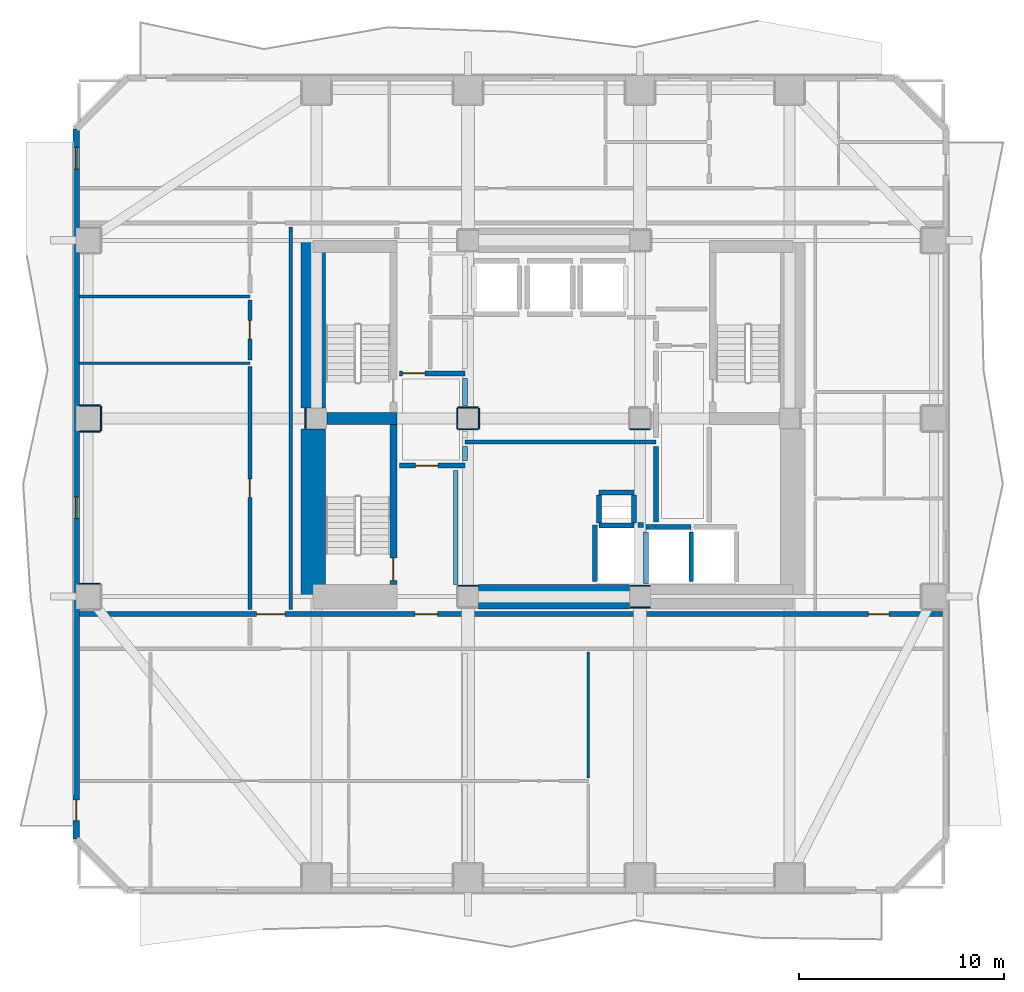
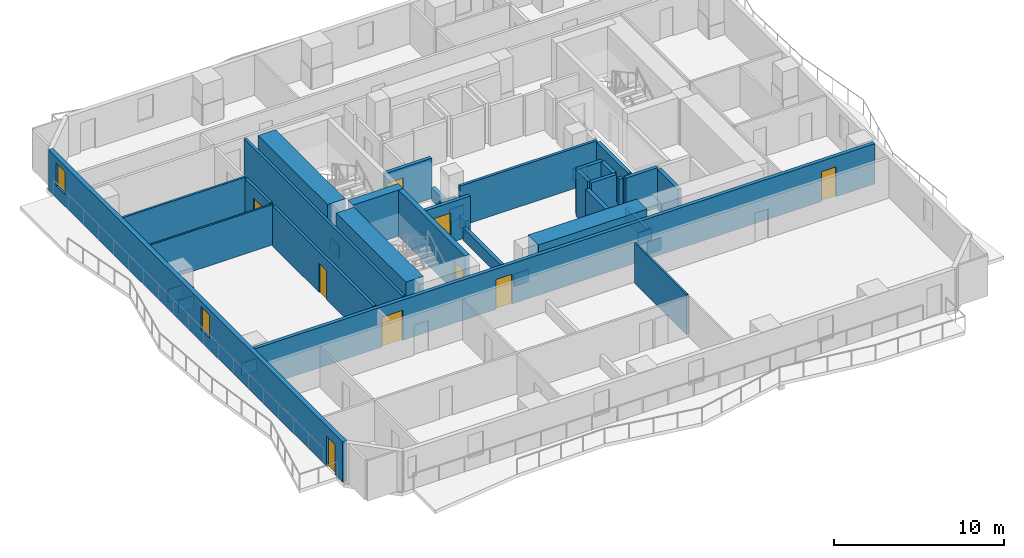
# One storey, part 3 of 10: 42 walls, 9 doors, 2 windows, 11 openings.
"""IFC4 building model written with IfcOpenShell, lengths in metres."""

import ifcopenshell
import ifcopenshell.guid

model = None  # the IFC model being written
_history = None  # IfcOwnerHistory: only IFC2X3 demands one
_inside = {}  # id of a spatial element -> (the spatial element, [elements in it])
_under = {}  # id of a project, library or spatial element -> (it, [spatial elements below it])
_declared = {}  # id of a project -> (the project, [libraries it declares])
_typed = {}  # id of a type object -> (the type object, [elements of that type])
_made_of = {}  # id of a material, layer set ... -> (it, [elements and type objects made of it])


def new_model(schema):
    """Start an empty IFC model of exactly this schema.

    Asked for "IFC4X3", IfcOpenShell would pick the latest addendum, in which some entities
    have other attributes; the version numbers below select the first issue.
    IFC2X3 requires an IfcOwnerHistory on every rooted entity: one is made here for all.
    """
    global model, _history
    if schema == "IFC4X3":
        model = ifcopenshell.file(schema_version=(4, 3, 0, 0))
    else:
        model = ifcopenshell.file(schema=schema)
    _inside.clear()
    _under.clear()
    _declared.clear()
    _typed.clear()
    _made_of.clear()
    _history = None
    if model.schema == "IFC2X3":
        org = make("IfcOrganization", Name="unknown")
        user = make(
            "IfcPersonAndOrganization",
            ThePerson=make("IfcPerson", FamilyName="unknown"),
            TheOrganization=org,
        )
        app = make(
            "IfcApplication",
            ApplicationDeveloper=org,
            Version="unknown",
            ApplicationFullName="unknown",
            ApplicationIdentifier="unknown",
        )
        _history = make(
            "IfcOwnerHistory",
            OwningUser=user,
            OwningApplication=app,
            ChangeAction="ADDED",
            CreationDate=0,
        )
    return model


def make(cls, **values):
    """One entity of the class cls with the attributes given. An attribute that is None is left unset."""
    return model.create_entity(
        cls, **{name: value for name, value in values.items() if value is not None}
    )


def rooted(cls, **values):
    """An entity with a GlobalId (a new one), such as an element, a storey or a relation."""
    return make(cls, GlobalId=ifcopenshell.guid.new(), OwnerHistory=_history, **values)


def si_unit(unit_type, name, prefix=None):
    """IfcSIUnit, for example si_unit("LENGTHUNIT", "METRE", prefix="MILLI")."""
    return make("IfcSIUnit", UnitType=unit_type, Prefix=prefix, Name=name)


def assignment(units):
    """IfcUnitAssignment: the units of a project."""
    return None if units is None else make("IfcUnitAssignment", Units=units)


def point(xyz):
    """IfcCartesianPoint."""
    return None if xyz is None else make("IfcCartesianPoint", Coordinates=xyz)


def direction(xyz):
    """IfcDirection."""
    return None if xyz is None else make("IfcDirection", DirectionRatios=xyz)


def frame(location, z_axis=None, x_axis=None):
    """IfcAxis2Placement3D, a coordinate frame: its origin and axes. An axis left out is left unset."""
    return make(
        "IfcAxis2Placement3D",
        Location=point(location),
        Axis=direction(z_axis),
        RefDirection=direction(x_axis),
    )


def frame_2d(location, x_axis=None):
    """IfcAxis2Placement2D, a coordinate frame in the plane: its origin and x axis."""
    return make(
        "IfcAxis2Placement2D", Location=point(location), RefDirection=direction(x_axis)
    )


def origin():
    """The frame at (0, 0, 0) with its axes left unset."""
    return frame((0.0, 0.0, 0.0))


def place(relative_to, where):
    """IfcLocalPlacement: puts the frame where relative to a parent placement (None: the world)."""
    return make(
        "IfcLocalPlacement", PlacementRelTo=relative_to, RelativePlacement=where
    )


def context(
    kind, dimensions, precision=None, world=None, true_north=None, identifier=None
):
    """IfcGeometricRepresentationContext, for example the 3D "Model" context."""
    return make(
        "IfcGeometricRepresentationContext",
        ContextIdentifier=identifier,
        ContextType=kind,
        CoordinateSpaceDimension=dimensions,
        Precision=precision,
        WorldCoordinateSystem=world,
        TrueNorth=true_north,
    )


def subcontext(parent, identifier, kind, view, scale=None):
    """IfcGeometricRepresentationSubContext, for example "Body" below "Model"."""
    return make(
        "IfcGeometricRepresentationSubContext",
        ContextIdentifier=identifier,
        ContextType=kind,
        ParentContext=parent,
        TargetScale=scale,
        TargetView=view,
    )


def project(units=None, contexts=None):
    """IfcProject with its units and contexts."""
    return rooted(
        "IfcProject",
        Name="project",
        RepresentationContexts=contexts,
        UnitsInContext=assignment(units),
    )


def spatial(cls, under=None, at=None, **own):
    """A site, building, storey or space (cls), placed at a placement, below another one or the project."""
    s = rooted(cls, ObjectPlacement=at, **own)
    if under is not None:
        _under.setdefault(under.id(), (under, []))[1].append(s)
    return s


def profile(cls, at=None, kind="AREA", **sizes):
    """A parametric profile (cls). Its sizes go by their IFC names, for example OverallWidth=200.0."""
    return make(cls, ProfileType=kind, Position=at, **sizes)


def rectangle(**sizes):
    """IfcRectangleProfileDef."""
    return profile("IfcRectangleProfileDef", **sizes)


def extrude(swept, where, along, depth):
    """IfcExtrudedAreaSolid: the profile swept, set in the frame where, extruded along a direction by depth."""
    return make(
        "IfcExtrudedAreaSolid",
        SweptArea=swept,
        Position=where,
        ExtrudedDirection=direction(along),
        Depth=depth,
    )


def shape(context_of_items, identifier, shape_type, items):
    """IfcShapeRepresentation: the items that make up one representation, for example the "Body"."""
    return make(
        "IfcShapeRepresentation",
        ContextOfItems=context_of_items,
        RepresentationIdentifier=identifier,
        RepresentationType=shape_type,
        Items=items,
    )


def material(Name=None, Category=None):
    """IfcMaterial."""
    return make("IfcMaterial", Name=Name, Category=Category)


def layer(
    of_material, thickness, ventilated=None, Name=None, Category=None, Priority=None
):
    """IfcMaterialLayer: one layer of a wall or slab, of a material (None: an air gap)."""
    return make(
        "IfcMaterialLayer",
        Material=of_material,
        LayerThickness=thickness,
        IsVentilated=ventilated,
        Name=Name,
        Category=Category,
        Priority=Priority,
    )


def layer_set(layers, Name=None):
    """IfcMaterialLayerSet."""
    return make("IfcMaterialLayerSet", MaterialLayers=layers, LayerSetName=Name)


def made_of(thing, what):
    """Note that an element or type object is made of a material, layer set ...; save() writes the relation."""
    if what is not None:
        _made_of.setdefault(what.id(), (what, []))[1].append(thing)
    return thing


def type_object(cls, material=None, **own):
    """A type object (cls), such as IfcWallType, which elements share."""
    return made_of(rooted(cls, **own), material)


def element(
    cls,
    number,
    at=None,
    inside=None,
    cuts=None,
    type_object=None,
    material=None,
    context=None,
    identifier="Body",
    shape_type=None,
    held_by="IfcProductDefinitionShape",
    body=None,
    shapes=None,
    **own,
):
    """One element of the class cls, such as IfcWall. Its Tag is "e" and its number.

    at: its placement. inside: the storey or other place that contains it. cuts: it is an
    opening in that element (IfcRelVoidsElement). A single representation is given by context,
    identifier, shape_type and body (its items); several are given by shapes. held_by: the class
    of the entity that holds the representations. save() writes the other relations.
    """
    e = rooted(cls, Tag="e%d" % number, ObjectPlacement=at, **own)
    if body is not None:
        shapes = [shape(context, identifier, shape_type, body)]
    if shapes is not None:
        e.Representation = make(held_by, Representations=shapes)
    if inside is not None:
        _inside.setdefault(inside.id(), (inside, []))[1].append(e)
    if cuts is not None:
        rooted(
            "IfcRelVoidsElement", RelatingBuildingElement=cuts, RelatedOpeningElement=e
        )
    if type_object is not None:
        _typed.setdefault(type_object.id(), (type_object, []))[1].append(e)
    return made_of(e, material)


def fill(opening, filler):
    """IfcRelFillsElement: the door or window that sits in an opening."""
    return rooted(
        "IfcRelFillsElement",
        RelatingOpeningElement=opening,
        RelatedBuildingElement=filler,
    )


def aggregate(whole, parts):
    """IfcRelAggregates: a whole, such as a stair, and the parts it consists of."""
    return rooted("IfcRelAggregates", RelatingObject=whole, RelatedObjects=parts)


def save(model, path):
    """Write the relations noted so far, then the file.

    IfcRelAggregates (storeys below a building ...), IfcRelContainedInSpatialStructure (elements
    in a storey), IfcRelDefinesByType, IfcRelAssociatesMaterial and IfcRelDeclares: one each for
    every whole, place, type object, material and project.
    """
    for whole, parts in _under.values():
        aggregate(whole, parts)
    for where, things in _inside.values():
        rooted(
            "IfcRelContainedInSpatialStructure",
            RelatedElements=things,
            RelatingStructure=where,
        )
    for kind, things in _typed.values():
        rooted("IfcRelDefinesByType", RelatedObjects=things, RelatingType=kind)
    for what, things in _made_of.values():
        rooted("IfcRelAssociatesMaterial", RelatedObjects=things, RelatingMaterial=what)
    for by, libraries in _declared.values():
        rooted("IfcRelDeclares", RelatingContext=by, RelatedDefinitions=libraries)
    model.write(path)


model = new_model("IFC4")

# Units and contexts
model_context = context("Model", 3, precision=1e-05, world=origin(), true_north=direction((0.0, 1.0)))
body_context = subcontext(model_context, "Body", "Model", "MODEL_VIEW")
ifc_project = project(units=[si_unit("LENGTHUNIT", "METRE"), si_unit("AREAUNIT", "SQUARE_METRE"), si_unit("VOLUMEUNIT", "CUBIC_METRE"), si_unit("PLANEANGLEUNIT", "RADIAN"), si_unit("MASSUNIT", "GRAM", prefix="KILO")], contexts=[model_context])

# Site, building, storey
site_placement = place(None, origin())
site = spatial("IfcSite", under=ifc_project, at=site_placement, CompositionType="ELEMENT")
building_placement = place(site_placement, origin())
building = spatial("IfcBuilding", under=site, at=building_placement, Name="Solanera Arch Residences", CompositionType="ELEMENT")
storey_placement = place(building_placement, frame((0.0, 0.0, 38.60009765625)))
storey = spatial("IfcBuildingStorey", under=building, at=storey_placement, Name="L10", CompositionType="ELEMENT", Elevation=38.60009765625)

# Walls
ifc_material_1 = material(Name="Fire-Rated Gypsum Stud Partition", Category="gypsum")
ifc_layer_1 = layer(ifc_material_1, 0.06005859375)
ifc_layer_set_1 = layer_set([ifc_layer_1], Name="Fire-Rated Gypsum Stud Partition")
wall_type_1 = type_object("IfcWallType", Name="Column Acoustic Furring Wall 60", PredefinedType="PARTITIONING", material=ifc_layer_set_1)
wall_1_placement = place(storey_placement, frame((20.300048828125, 22.531982421875, 0.0), z_axis=(0.0, 0.0, 1.0), x_axis=(1.0, 0.0, 0.0)))
element("IfcWall", 1, at=wall_1_placement, inside=storey, type_object=wall_type_1, Name="L10 Column Furring 1N", PredefinedType="PARTITIONING", context=body_context, shape_type="SweptSolid", body=[
    extrude(rectangle(XDim=0.989990234375, YDim=0.06005859375, at=frame_2d((0.4951171875, 0.0))), origin(), (0.0, 0.0, 1.0), 0.90478515625),
])
for number, where, z_axis, x_axis, name in (
    (2, (28.7099609375, 21.468017578125, 0.0), (0.0, 0.0, 1.0), (1.0, 0.0, 0.0), "L10 Column Furring 2S"),
    (3, (28.7099609375, 22.531982421875, 0.0), (0.0, 0.0, 1.0), (1.0, 0.0, 0.0), "L10 Column Furring 2N"),
    (4, (12.867919921875, 30.2099609375, 0.0), (0.0, 0.0, 1.0), (0.0, 1.0, 0.0), "L10 Column Furring 5W"),
):
    element("IfcWall", number, at=place(storey_placement, frame(where, z_axis=z_axis, x_axis=x_axis)), inside=storey, type_object=wall_type_1, Name=name, PredefinedType="PARTITIONING", context=body_context, shape_type="SweptSolid", body=[
        extrude(rectangle(XDim=0.97998046875, YDim=0.06005859375, at=frame_2d((0.489990234375, 0.0))), origin(), (0.0, 0.0, 1.0), 0.90478515625),
    ])
for number, where, z_axis, x_axis, name in (
    (5, (20.300048828125, 30.16796875, 0.0), (0.0, 0.0, 1.0), (1.0, 0.0, 0.0), "L10 Column Furring 7S"),
    (6, (20.300048828125, 31.23193359375, 0.0), (0.0, 0.0, 1.0), (1.0, 0.0, 0.0), "L10 Column Furring 7N"),
    (7, (20.26806640625, 30.199951171875, 0.0), (0.0, 0.0, 1.0), (0.0, 1.0, 0.0), "L10 Column Furring 7W"),
    (8, (21.33203125, 30.199951171875, 0.0), (0.0, 0.0, 1.0), (0.0, 1.0, 0.0), "L10 Column Furring 7E"),
    (9, (28.699951171875, 30.16796875, 0.0), (0.0, 0.0, 1.0), (1.0, 0.0, 0.0), "L10 Column Furring 8S"),
):
    element("IfcWall", number, at=place(storey_placement, frame(where, z_axis=z_axis, x_axis=x_axis)), inside=storey, type_object=wall_type_1, Name=name, PredefinedType="PARTITIONING", context=body_context, shape_type="SweptSolid", body=[
        extrude(rectangle(XDim=1.0, YDim=0.06005859375, at=frame_2d((0.5, 0.0))), origin(), (0.0, 0.0, 1.0), 0.90478515625),
    ])
for number, where, z_axis, x_axis, name in (
    (10, (1.830078125, 22.632080078125, 0.0), (0.0, 0.0, 1.0), (1.0, 0.0, 0.0), "L10 Column Furring 17N"),
    (11, (1.830078125, 30.068115234375, 0.0), (0.0, 0.0, 1.0), (1.0, 0.0, 0.0), "L10 Column Furring 19S"),
    (12, (1.830078125, 31.33203125, 0.0), (0.0, 0.0, 1.0), (1.0, 0.0, 0.0), "L10 Column Furring 19N"),
):
    element("IfcWall", number, at=place(storey_placement, frame(where, z_axis=z_axis, x_axis=x_axis)), inside=storey, type_object=wall_type_1, Name=name, PredefinedType="PARTITIONING", context=body_context, shape_type="SweptSolid", body=[
        extrude(rectangle(XDim=1.02001953125, YDim=0.06005859375, at=frame_2d((0.510009765625, 0.0))), origin(), (0.0, 0.0, 1.0), 0.90478515625),
    ])
wall_2_placement = place(storey_placement, frame((2.882080078125, 30.10009765625, 0.0), z_axis=(0.0, 0.0, 1.0), x_axis=(0.0, 1.0, 0.0)))
element("IfcWall", 13, at=wall_2_placement, inside=storey, type_object=wall_type_1, Name="L10 Column Furring 19E", PredefinedType="PARTITIONING", context=body_context, shape_type="SweptSolid", body=[
    extrude(rectangle(XDim=1.199951171875, YDim=0.06005859375, at=frame_2d((0.60009765625, 0.0))), origin(), (0.0, 0.0, 1.0), 1.449951171875),
])
ifc_material_2 = material(Name="Concrete C55/67 (f'c = 60 MPa)", Category="concrete")
ifc_layer_2 = layer(ifc_material_2, 1.199951171875)
ifc_layer_set_2 = layer_set([ifc_layer_2], Name="Concrete C55/67 (f'c = 60 MPa)")
wall_type_2 = type_object("IfcWallType", Name="Core Shear Wall CW-1200", PredefinedType="SHEAR", material=ifc_layer_set_2)
wall_3_placement = place(storey_placement, frame((13.239990234375, 22.0, 0.0), z_axis=(0.0, 0.0, 1.0), x_axis=(0.0, 1.0, 0.0)))
element("IfcWall", 14, at=wall_3_placement, inside=storey, type_object=wall_type_2, Name="L10 West Core South Shear Wall", PredefinedType="SHEAR", context=body_context, shape_type="SweptSolid", body=[
    extrude(rectangle(XDim=8.195068359375, YDim=1.199951171875, at=frame_2d((4.09765625, 0.0))), origin(), (0.0, 0.0, 1.0), 3.31982421875),
])
wall_4_placement = place(storey_placement, frame((13.239990234375, 31.205078125, 0.0), z_axis=(0.0, 0.0, 1.0), x_axis=(0.0, 1.0, 0.0)))
element("IfcWall", 15, at=wall_4_placement, inside=storey, type_object=wall_type_2, Name="L10 West Core North Shear Wall", PredefinedType="SHEAR", context=body_context, shape_type="SweptSolid", body=[
    extrude(rectangle(XDim=8.19482421875, YDim=1.199951171875, at=frame_2d((4.097412109375, 0.0))), origin(), (0.0, 0.0, 1.0), 3.31982421875),
])
wall_5_placement = place(storey_placement, frame((21.304931640625, 22.0, 0.0), z_axis=(0.0, 0.0, 1.0), x_axis=(1.0, 0.0, 0.0)))
element("IfcWall", 16, at=wall_5_placement, inside=storey, type_object=wall_type_2, Name="L10 Central South Core Shear Wall", PredefinedType="SHEAR", context=body_context, shape_type="SweptSolid", body=[
    extrude(rectangle(XDim=7.39013671875, YDim=1.199951171875, at=frame_2d((3.695068359375, 0.0))), origin(), (0.0, 0.0, 1.0), 3.31982421875),
])

# Wall, opening, door
ifc_material_3 = material(Name="Concrete C40/50 (f'c = 45 MPa)", Category="concrete")
ifc_layer_3 = layer(ifc_material_3, 0.320068359375)
ifc_layer_set_3 = layer_set([ifc_layer_3], Name="Concrete C40/50 (f'c = 45 MPa)")
wall_type_3 = type_object("IfcWallType", Name="Core Shear Wall CW-320", PredefinedType="SHEAR", material=ifc_layer_set_3)
wall_6_placement = place(storey_placement, frame((17.159912109375, 22.60009765625, 0.0), z_axis=(0.0, 0.0, 1.0), x_axis=(0.0, 1.0, 0.0)))
wall_6 = element("IfcWall", 17, at=wall_6_placement, inside=storey, type_object=wall_type_3, Name="L10 Stair ST-T3 East Shear Wall", PredefinedType="SHEAR", context=body_context, shape_type="SweptSolid", body=[
    extrude(rectangle(XDim=7.7998046875, YDim=0.320068359375, at=frame_2d((3.89990234375, 0.0))), origin(), (0.0, 0.0, 1.0), 3.31982421875),
])
opening_1_placement = place(wall_6_placement, frame((0.18994140625, 0.0, 0.0)))
opening_1 = element("IfcOpeningElement", 18, at=opening_1_placement, cuts=wall_6, Name="Opening DF-01", PredefinedType="OPENING", context=body_context, shape_type="SweptSolid", body=[
    extrude(rectangle(XDim=1.10009765625, YDim=2.14990234375, at=frame_2d((0.550048828125, 1.074951171875))), frame((0.0, 0.169921875, 0.0), z_axis=(0.0, -1.0, 0.0), x_axis=(1.0, 0.0, 0.0)), (0.0, 0.0, 1.0), 0.3401),
])
ifc_material_4 = material(Name="Fire-Rated Architectural Hardwood", Category="wood")
door_type_1 = type_object("IfcDoorType", Name="Stair Exit Fire Door DF-01", OperationType="NOTDEFINED", PredefinedType="DOOR", material=ifc_material_4)
door_1_placement = place(opening_1_placement, origin())
door_1 = element("IfcDoor", 19, at=door_1_placement, inside=storey, type_object=door_type_1, Name="DR-L10-STAIR-ST-T3", OperationType="SINGLE_SWING_RIGHT", OverallHeight=2.14990234375, OverallWidth=1.10009765625, PredefinedType="DOOR", context=body_context, shape_type="SweptSolid", body=[
    extrude(rectangle(XDim=1.10009765625, YDim=2.14990234375, at=frame_2d((0.550048828125, 1.074951171875))), frame((0.0, 0.02490234375, 0.0), z_axis=(0.0, -1.0, 0.0), x_axis=(1.0, 0.0, 0.0)), (0.0, 0.0, 1.0), 0.050048828125),
])
fill(opening_1, door_1)

# Walls
ifc_material_5 = material(Name="Concrete C40/50 (f'c = 45 MPa)", Category="concrete")
ifc_layer_4 = layer(ifc_material_5, 0.60009765625)
ifc_layer_set_4 = layer_set([ifc_layer_4], Name="Concrete C40/50 (f'c = 45 MPa)")
wall_type_4 = type_object("IfcWallType", Name="Core Shear Wall CW-600", PredefinedType="SHEAR", material=ifc_layer_set_4)
wall_7_placement = place(storey_placement, frame((13.905029296875, 30.699951171875, 0.0), z_axis=(0.0, 0.0, 1.0), x_axis=(1.0, 0.0, 0.0)))
element("IfcWall", 20, at=wall_7_placement, inside=storey, type_object=wall_type_4, Name="L10 West Stair Divider Shear Wall", PredefinedType="SHEAR", context=body_context, shape_type="SweptSolid", body=[
    extrude(rectangle(XDim=3.4150390625, YDim=0.60009765625, at=frame_2d((1.70751953125, 0.0))), origin(), (0.0, 0.0, 1.0), 3.31982421875),
])
ifc_material_6 = material(Name="Autoclaved Aerated Concrete Blockwork", Category="masonry")
ifc_layer_5 = layer(ifc_material_6, 0.179931640625)
ifc_layer_set_5 = layer_set([ifc_layer_5], Name="Autoclaved Aerated Concrete Blockwork")
wall_type_5 = type_object("IfcWallType", Name="Corridor Fire Partition 180", PredefinedType="PARTITIONING", material=ifc_layer_set_5)
wall_8_placement = place(storey_placement, frame((20.64990234375, 29.550048828125, 0.0), z_axis=(0.0, 0.0, 1.0), x_axis=(1.0, 0.0, 0.0)))
element("IfcWall", 21, at=wall_8_placement, inside=storey, type_object=wall_type_5, Name="L10 Interior Partition H7", PredefinedType="PARTITIONING", context=body_context, shape_type="SweptSolid", body=[
    extrude(rectangle(XDim=9.3251953125, YDim=0.179931640625, at=frame_2d((4.66259765625, 0.0))), origin(), (0.0, 0.0, 1.0), 2.89990234375),
])

# Wall, opening, door
wall_9_placement = place(storey_placement, frame((10.14990234375, 21.367919921875, 0.0), z_axis=(0.0, 0.0, 1.0), x_axis=(0.0, 1.0, 0.0)))
wall_9 = element("IfcWall", 22, at=wall_9_placement, inside=storey, type_object=wall_type_5, Name="L10 Interior Partition V8 2", PredefinedType="PARTITIONING", context=body_context, shape_type="SweptSolid", body=[
    extrude(rectangle(XDim=11.8740234375, YDim=0.179931640625, at=frame_2d((5.93701171875, 0.0))), origin(), (0.0, 0.0, 1.0), 2.89990234375),
])
opening_2_placement = place(wall_9_placement, frame((5.48095703125, 0.0, 0.0)))
opening_2 = element("IfcOpeningElement", 23, at=opening_2_placement, cuts=wall_9, Name="Opening DI-02", PredefinedType="OPENING", context=body_context, shape_type="SweptSolid", body=[
    extrude(rectangle(XDim=0.89990234375, YDim=2.10009765625, at=frame_2d((0.449951171875, 1.050048828125))), frame((0.0, 0.10009765625, 0.0), z_axis=(0.0, -1.0, 0.0), x_axis=(1.0, 0.0, 0.0)), (0.0, 0.0, 1.0), 0.1999),
])
ifc_material_7 = material(Name="Fire-Rated Architectural Hardwood", Category="wood")
door_type_2 = type_object("IfcDoorType", Name="Suite Room Swing Door DI-02", OperationType="NOTDEFINED", PredefinedType="DOOR", material=ifc_material_7)
door_2_placement = place(opening_2_placement, origin())
door_2 = element("IfcDoor", 24, at=door_2_placement, inside=storey, type_object=door_type_2, Name="DR-L10-IN-029", OperationType="SINGLE_SWING_RIGHT", OverallHeight=2.10009765625, OverallWidth=0.89990234375, PredefinedType="DOOR", context=body_context, shape_type="SweptSolid", body=[
    extrude(rectangle(XDim=0.89990234375, YDim=2.10009765625, at=frame_2d((0.449951171875, 1.050048828125))), frame((0.0, 0.02490234375, 0.0), z_axis=(0.0, -1.0, 0.0), x_axis=(1.0, 0.0, 0.0)), (0.0, 0.0, 1.0), 0.050048828125),
])
fill(opening_2, door_2)

wall_10_placement = place(storey_placement, frame((10.14990234375, 33.55810546875, 0.0), z_axis=(0.0, 0.0, 1.0), x_axis=(0.0, 1.0, 0.0)))
wall_10 = element("IfcWall", 25, at=wall_10_placement, inside=storey, type_object=wall_type_5, Name="L10 Interior Partition V8 3", PredefinedType="PARTITIONING", context=body_context, shape_type="SweptSolid", body=[
    extrude(rectangle(XDim=2.923828125, YDim=0.179931640625, at=frame_2d((1.4619140625, 0.0))), origin(), (0.0, 0.0, 1.0), 2.89990234375),
])
opening_3_placement = place(wall_10_placement, frame((1.01708984375, 0.0, 0.0)))
opening_3 = element("IfcOpeningElement", 26, at=opening_3_placement, cuts=wall_10, Name="Opening DI-02", PredefinedType="OPENING", context=body_context, shape_type="SweptSolid", body=[
    extrude(rectangle(XDim=0.89990234375, YDim=2.10009765625, at=frame_2d((0.449951171875, 1.050048828125))), frame((0.0, 0.10009765625, 0.0), z_axis=(0.0, -1.0, 0.0), x_axis=(1.0, 0.0, 0.0)), (0.0, 0.0, 1.0), 0.1999),
])
door_3_placement = place(opening_3_placement, origin())
door_3 = element("IfcDoor", 27, at=door_3_placement, inside=storey, type_object=door_type_2, Name="DR-L10-IN-030", OperationType="SINGLE_SWING_LEFT", OverallHeight=2.10009765625, OverallWidth=0.89990234375, PredefinedType="DOOR", context=body_context, shape_type="SweptSolid", body=[
    extrude(rectangle(XDim=0.89990234375, YDim=2.10009765625, at=frame_2d((0.449951171875, 1.050048828125))), frame((0.0, 0.02490234375, 0.0), z_axis=(0.0, -1.0, 0.0), x_axis=(1.0, 0.0, 0.0)), (0.0, 0.0, 1.0), 0.050048828125),
])
fill(opening_3, door_3)

# Wall
wall_11_placement = place(storey_placement, frame((12.14990234375, 21.367919921875, 0.0), z_axis=(0.0, 0.0, 1.0), x_axis=(0.0, 1.0, 0.0)))
element("IfcWall", 28, at=wall_11_placement, inside=storey, type_object=wall_type_5, Name="L10 Interior Partition V9", PredefinedType="PARTITIONING", context=body_context, shape_type="SweptSolid", body=[
    extrude(rectangle(XDim=18.694091796875, YDim=0.179931640625, at=frame_2d((9.34716796875, 0.0))), origin(), (0.0, 0.0, 1.0), 2.89990234375),
])

# Wall, openings, door, windows
ifc_material_8 = material(Name="Precast Concrete C35/45", Category="concrete")
ifc_layer_6 = layer(ifc_material_8, 0.300048828125)
ifc_layer_set_6 = layer_set([ifc_layer_6], Name="Precast Concrete C35/45")
wall_type_6 = type_object("IfcWallType", Name="Exterior Wall Precast Masonry-Frame 300", PredefinedType="STANDARD", material=ifc_layer_set_6)
wall_12_placement = place(storey_placement, frame((1.6650390625, 10.1650390625, 0.0), z_axis=(0.0, 0.0, 1.0), x_axis=(0.0, 1.0, 0.0)))
wall_12 = element("IfcWall", 29, at=wall_12_placement, inside=storey, type_object=wall_type_6, Name="L10 Tower Exterior Precast Masonry-Frame Wall W", PredefinedType="STANDARD", context=body_context, shape_type="SweptSolid", body=[
    extrude(rectangle(XDim=34.669921875, YDim=0.300048828125, at=frame_2d((17.3349609375, 0.0))), origin(), (0.0, 0.0, 1.0), 2.89990234375),
])
opening_4_placement = place(wall_12_placement, frame((0.90087890625, 0.0, 0.0)))
opening_4 = element("IfcOpeningElement", 30, at=opening_4_placement, cuts=wall_12, Name="Opening DB-01", PredefinedType="OPENING", context=body_context, shape_type="SweptSolid", body=[
    extrude(rectangle(XDim=1.0, YDim=2.14990234375, at=frame_2d((0.5, 1.074951171875))), frame((0.0, 0.159912109375, 0.0), z_axis=(0.0, -1.0, 0.0), x_axis=(1.0, 0.0, 0.0)), (0.0, 0.0, 1.0), 0.32),
])
opening_5_placement = place(wall_12_placement, frame((32.7080078125, 0.0, 0.85009765625)))
opening_5 = element("IfcOpeningElement", 31, at=opening_5_placement, cuts=wall_12, Name="Opening W-07", PredefinedType="OPENING", context=body_context, shape_type="SweptSolid", body=[
    extrude(rectangle(XDim=1.050048828125, YDim=1.64990234375, at=frame_2d((0.52490234375, 0.824951171875))), frame((0.0, 0.159912109375, 0.0), z_axis=(0.0, -1.0, 0.0), x_axis=(1.0, 0.0, 0.0)), (0.0, 0.0, 1.0), 0.32),
])
opening_6_placement = place(wall_12_placement, frame((15.659912109375, 0.0, 0.85009765625)))
opening_6 = element("IfcOpeningElement", 32, at=opening_6_placement, cuts=wall_12, Name="Opening W-07", PredefinedType="OPENING", context=body_context, shape_type="SweptSolid", body=[
    extrude(rectangle(XDim=1.050048828125, YDim=1.64990234375, at=frame_2d((0.52490234375, 0.824951171875))), frame((0.0, 0.159912109375, 0.0), z_axis=(0.0, -1.0, 0.0), x_axis=(1.0, 0.0, 0.0)), (0.0, 0.0, 1.0), 0.32),
])
ifc_material_9 = material(Name="Anodised Aluminium Alloy 6063-T6", Category="aluminium")
door_type_3 = type_object("IfcDoorType", Name="Glazed Balcony Swing Door DB-01", OperationType="NOTDEFINED", PredefinedType="DOOR", material=ifc_material_9)
door_4_placement = place(opening_4_placement, origin())
door_4 = element("IfcDoor", 33, at=door_4_placement, inside=storey, type_object=door_type_3, Name="DR-L10-OUT-04", OperationType="SINGLE_SWING_LEFT", OverallHeight=2.14990234375, OverallWidth=1.0, PredefinedType="DOOR", context=body_context, shape_type="SweptSolid", body=[
    extrude(rectangle(XDim=1.0, YDim=2.14990234375, at=frame_2d((0.5, 1.074951171875))), frame((0.0, 0.02490234375, 0.0), z_axis=(0.0, -1.0, 0.0), x_axis=(1.0, 0.0, 0.0)), (0.0, 0.0, 1.0), 0.050048828125),
])
fill(opening_4, door_4)
ifc_material_10 = material(Name="Double Glazed Low-E Laminated Glass", Category="glass")
window_type = type_object("IfcWindowType", Name="Punched Window W-07", PartitioningType="SINGLE_PANEL", PredefinedType="WINDOW", material=ifc_material_10)
window_1_placement = place(opening_5_placement, origin())
window_1 = element("IfcWindow", 34, at=window_1_placement, inside=storey, type_object=window_type, Name="L10 AMN-MTG1 Punched Window", OverallHeight=1.64990234375, OverallWidth=1.050048828125, PartitioningType="SINGLE_PANEL", PredefinedType="WINDOW", context=body_context, shape_type="SweptSolid", body=[
    extrude(rectangle(XDim=1.050048828125, YDim=1.64990234375, at=frame_2d((0.52490234375, 0.824951171875))), frame((0.0, 0.030029296875, 0.0), z_axis=(0.0, -1.0, 0.0), x_axis=(1.0, 0.0, 0.0)), (0.0, 0.0, 1.0), 0.06005859375),
])
fill(opening_5, window_1)
window_2_placement = place(opening_6_placement, origin())
window_2 = element("IfcWindow", 35, at=window_2_placement, inside=storey, type_object=window_type, Name="L10 AMN-FIT Punched Window", OverallHeight=1.64990234375, OverallWidth=1.050048828125, PartitioningType="SINGLE_PANEL", PredefinedType="WINDOW", context=body_context, shape_type="SweptSolid", body=[
    extrude(rectangle(XDim=1.050048828125, YDim=1.64990234375, at=frame_2d((0.52490234375, 0.824951171875))), frame((0.0, 0.030029296875, 0.0), z_axis=(0.0, -1.0, 0.0), x_axis=(1.0, 0.0, 0.0)), (0.0, 0.0, 1.0), 0.06005859375),
])
fill(opening_6, window_2)

# Walls
ifc_material_11 = material(Name="Concrete C40/50 (f'c = 45 MPa)", Category="concrete")
ifc_layer_7 = layer(ifc_material_11, 0.239990234375)
ifc_layer_set_7 = layer_set([ifc_layer_7], Name="Concrete C40/50 (f'c = 45 MPa)")
wall_type_7 = type_object("IfcWallType", Name="Ramp Bearing Shear Wall RW-240", PredefinedType="SHEAR", material=ifc_layer_set_7)
for number, where, z_axis, x_axis, name in (
    (36, (27.199951171875, 25.47998046875, 0.0), (0.0, 0.0, 1.0), (1.0, 0.0, 0.0), "L10 Core MEP Riser South Shaft Wall"),
    (37, (27.199951171875, 27.080078125, 0.0), (0.0, 0.0, 1.0), (1.0, 0.0, 0.0), "L10 Core MEP Riser North Shaft Wall"),
):
    element("IfcWall", number, at=place(storey_placement, frame(where, z_axis=z_axis, x_axis=x_axis)), inside=storey, type_object=wall_type_7, Name=name, PredefinedType="SHEAR", context=body_context, shape_type="SweptSolid", body=[
        extrude(rectangle(XDim=1.699951171875, YDim=0.239990234375, at=frame_2d((0.85009765625, 0.0))), origin(), (0.0, 0.0, 1.0), 3.31982421875),
    ])
for number, where, z_axis, x_axis, name in (
    (38, (27.199951171875, 25.60009765625, 0.0), (0.0, 0.0, 1.0), (0.0, 1.0, 0.0), "L10 Core MEP Riser West Shaft Wall"),
    (39, (28.89990234375, 25.60009765625, 0.0), (0.0, 0.0, 1.0), (0.0, 1.0, 0.0), "L10 Core MEP Riser East Shaft Wall"),
):
    element("IfcWall", number, at=place(storey_placement, frame(where, z_axis=z_axis, x_axis=x_axis)), inside=storey, type_object=wall_type_7, Name=name, PredefinedType="SHEAR", context=body_context, shape_type="SweptSolid", body=[
        extrude(rectangle(XDim=1.35986328125, YDim=0.239990234375, at=frame_2d((0.679931640625, 0.0))), origin(), (0.0, 0.0, 1.0), 3.31982421875),
    ])
ifc_material_12 = material(Name="Autoclaved Aerated Concrete Blockwork", Category="masonry")
ifc_layer_8 = layer(ifc_material_12, 0.239990234375)
ifc_layer_set_8 = layer_set([ifc_layer_8], Name="Autoclaved Aerated Concrete Blockwork")
wall_type_8 = type_object("IfcWallType", Name="Shaft Wall Fire-Rated 240", PredefinedType="PARTITIONING", material=ifc_layer_set_8)
wall_13_placement = place(storey_placement, frame((29.5, 25.39990234375, 0.0), z_axis=(0.0, 0.0, 1.0), x_axis=(1.0, 0.0, 0.0)))
element("IfcWall", 40, at=wall_13_placement, inside=storey, type_object=wall_type_8, Name="L10 Lift FFL-1 Hoistway Wall N", PredefinedType="PARTITIONING", context=body_context, shape_type="SweptSolid", body=[
    extrude(rectangle(XDim=2.199951171875, YDim=0.239990234375, at=frame_2d((1.10009765625, 0.0))), origin(), (0.0, 0.0, 1.0), 2.89990234375),
])
wall_14_placement = place(storey_placement, frame((29.5, 22.632080078125, 0.0), z_axis=(0.0, 0.0, 1.0), x_axis=(0.0, 1.0, 0.0)))
element("IfcWall", 41, at=wall_14_placement, inside=storey, type_object=wall_type_8, Name="L10 Lift FFL-1 Hoistway Wall W", PredefinedType="PARTITIONING", context=body_context, shape_type="SweptSolid", body=[
    extrude(rectangle(XDim=2.52001953125, YDim=0.239990234375, at=frame_2d((1.260009765625, 0.0))), origin(), (0.0, 0.0, 1.0), 0.90478515625),
])
wall_15_placement = place(storey_placement, frame((31.699951171875, 22.72998046875, 0.0), z_axis=(0.0, 0.0, 1.0), x_axis=(0.0, 1.0, 0.0)))
element("IfcWall", 42, at=wall_15_placement, inside=storey, type_object=wall_type_8, Name="L10 Lift FFL-1 Hoistway Wall E", PredefinedType="PARTITIONING", context=body_context, shape_type="SweptSolid", body=[
    extrude(rectangle(XDim=2.422119140625, YDim=0.239990234375, at=frame_2d((1.2109375, 0.0))), origin(), (0.0, 0.0, 1.0), 2.89990234375),
])
wall_16_placement = place(storey_placement, frame((29.10302734375, 25.5, 0.0), z_axis=(0.0, 0.0, 1.0), x_axis=(1.0, 0.0, 0.0)))
element("IfcWall", 43, at=wall_16_placement, inside=storey, type_object=wall_type_8, Name="L10 Lift SVL-1 Hoistway Wall N", PredefinedType="PARTITIONING", context=body_context, shape_type="SweptSolid", body=[
    extrude(rectangle(XDim=0.26904296875, YDim=0.239990234375, at=frame_2d((0.134521484375, 0.0))), origin(), (0.0, 0.0, 1.0), 2.89990234375),
])
wall_17_placement = place(storey_placement, frame((27.0, 22.72998046875, 0.0), z_axis=(0.0, 0.0, 1.0), x_axis=(0.0, 1.0, 0.0)))
element("IfcWall", 44, at=wall_17_placement, inside=storey, type_object=wall_type_8, Name="L10 Lift SVL-1 Hoistway Wall W", PredefinedType="PARTITIONING", context=body_context, shape_type="SweptSolid", body=[
    extrude(rectangle(XDim=2.76806640625, YDim=0.239990234375, at=frame_2d((1.384033203125, 0.0))), origin(), (0.0, 0.0, 1.0), 2.89990234375),
])

# Wall, openings, doors
wall_18_placement = place(storey_placement, frame((1.826904296875, 21.14990234375, 0.0), z_axis=(0.0, 0.0, 1.0), x_axis=(1.0, 0.0, 0.0)))
wall_18 = element("IfcWall", 45, at=wall_18_placement, inside=storey, type_object=wall_type_8, Name="L10 Interior Partition H1", PredefinedType="PARTITIONING", context=body_context, shape_type="SweptSolid", body=[
    extrude(rectangle(XDim=42.14599609375, YDim=0.239990234375, at=frame_2d((21.072998046875, 0.0))), origin(), (0.0, 0.0, 1.0), 2.89990234375),
])
opening_7_placement = place(wall_18_placement, frame((16.383056640625, 0.0, 0.0)))
opening_7 = element("IfcOpeningElement", 46, at=opening_7_placement, cuts=wall_18, Name="Opening DF-02", PredefinedType="OPENING", context=body_context, shape_type="SweptSolid", body=[
    extrude(rectangle(XDim=1.10009765625, YDim=2.14990234375, at=frame_2d((0.550048828125, 1.074951171875))), frame((0.0, 0.1298828125, 0.0), z_axis=(0.0, -1.0, 0.0), x_axis=(1.0, 0.0, 0.0)), (0.0, 0.0, 1.0), 0.26),
])
opening_8_placement = place(wall_18_placement, frame((8.64697265625, 0.0, 0.0)))
opening_8 = element("IfcOpeningElement", 47, at=opening_8_placement, cuts=wall_18, Name="Opening DF-03", PredefinedType="OPENING", context=body_context, shape_type="SweptSolid", body=[
    extrude(rectangle(XDim=1.39990234375, YDim=2.14990234375, at=frame_2d((0.699951171875, 1.074951171875))), frame((0.0, 0.1298828125, 0.0), z_axis=(0.0, -1.0, 0.0), x_axis=(1.0, 0.0, 0.0)), (0.0, 0.0, 1.0), 0.26),
])
opening_9_placement = place(wall_18_placement, frame((38.52392578125, 0.0, 0.0)))
opening_9 = element("IfcOpeningElement", 48, at=opening_9_placement, cuts=wall_18, Name="Opening DI-01", PredefinedType="OPENING", context=body_context, shape_type="SweptSolid", body=[
    extrude(rectangle(XDim=1.0, YDim=2.14990234375, at=frame_2d((0.5, 1.074951171875))), frame((0.0, 0.1298828125, 0.0), z_axis=(0.0, -1.0, 0.0), x_axis=(1.0, 0.0, 0.0)), (0.0, 0.0, 1.0), 0.26),
])
ifc_material_13 = material(Name="Fire-Rated Architectural Hardwood", Category="wood")
door_type_4 = type_object("IfcDoorType", Name="Corridor Smoke Door DF-03", OperationType="NOTDEFINED", PredefinedType="DOOR", material=ifc_material_13)
door_5_placement = place(opening_8_placement, origin())
door_5 = element("IfcDoor", 49, at=door_5_placement, inside=storey, type_object=door_type_4, Name="DR-L10-IN-010", OperationType="SINGLE_SWING_LEFT", OverallHeight=2.14990234375, OverallWidth=1.39990234375, PredefinedType="DOOR", context=body_context, shape_type="SweptSolid", body=[
    extrude(rectangle(XDim=1.39990234375, YDim=2.14990234375, at=frame_2d((0.699951171875, 1.074951171875))), frame((0.0, 0.02490234375, 0.0), z_axis=(0.0, -1.0, 0.0), x_axis=(1.0, 0.0, 0.0)), (0.0, 0.0, 1.0), 0.050048828125),
])
fill(opening_8, door_5)
ifc_material_14 = material(Name="Fire-Rated Architectural Hardwood", Category="wood")
door_type_5 = type_object("IfcDoorType", Name="Firefighting Lobby Fire Door DF-02", OperationType="NOTDEFINED", PredefinedType="DOOR", material=ifc_material_14)
door_6_placement = place(opening_7_placement, origin())
door_6 = element("IfcDoor", 50, at=door_6_placement, inside=storey, type_object=door_type_5, Name="DR-L10-IN-008", OperationType="SINGLE_SWING_LEFT", OverallHeight=2.14990234375, OverallWidth=1.10009765625, PredefinedType="DOOR", context=body_context, shape_type="SweptSolid", body=[
    extrude(rectangle(XDim=1.10009765625, YDim=2.14990234375, at=frame_2d((0.550048828125, 1.074951171875))), frame((0.0, 0.02490234375, 0.0), z_axis=(0.0, -1.0, 0.0), x_axis=(1.0, 0.0, 0.0)), (0.0, 0.0, 1.0), 0.050048828125),
])
fill(opening_7, door_6)
ifc_material_15 = material(Name="Fire-Rated Architectural Hardwood", Category="wood")
door_type_6 = type_object("IfcDoorType", Name="Unit Entrance Fire Door DI-01", OperationType="NOTDEFINED", PredefinedType="DOOR", material=ifc_material_15)
door_7_placement = place(opening_9_placement, origin())
door_7 = element("IfcDoor", 51, at=door_7_placement, inside=storey, type_object=door_type_6, Name="DR-L10-IN-032", OperationType="SINGLE_SWING_LEFT", OverallHeight=2.14990234375, OverallWidth=1.0, PredefinedType="DOOR", context=body_context, shape_type="SweptSolid", body=[
    extrude(rectangle(XDim=1.0, YDim=2.14990234375, at=frame_2d((0.5, 1.074951171875))), frame((0.0, 0.02490234375, 0.0), z_axis=(0.0, -1.0, 0.0), x_axis=(1.0, 0.0, 0.0)), (0.0, 0.0, 1.0), 0.050048828125),
])
fill(opening_9, door_7)

# Wall, opening, door
wall_19_placement = place(storey_placement, frame((17.449951171875, 28.39990234375, 0.0), z_axis=(0.0, 0.0, 1.0), x_axis=(1.0, 0.0, 0.0)))
wall_19 = element("IfcWall", 52, at=wall_19_placement, inside=storey, type_object=wall_type_8, Name="L10 Interior Partition H3", PredefinedType="PARTITIONING", context=body_context, shape_type="SweptSolid", body=[
    extrude(rectangle(XDim=3.199951171875, YDim=0.239990234375, at=frame_2d((1.60009765625, 0.0))), origin(), (0.0, 0.0, 1.0), 2.89990234375),
])
opening_10_placement = place(wall_19_placement, frame((0.783935546875, 0.0, 0.0)))
opening_10 = element("IfcOpeningElement", 53, at=opening_10_placement, cuts=wall_19, Name="Opening DF-02", PredefinedType="OPENING", context=body_context, shape_type="SweptSolid", body=[
    extrude(rectangle(XDim=1.10009765625, YDim=2.14990234375, at=frame_2d((0.550048828125, 1.074951171875))), frame((0.0, 0.1298828125, 0.0), z_axis=(0.0, -1.0, 0.0), x_axis=(1.0, 0.0, 0.0)), (0.0, 0.0, 1.0), 0.26),
])
door_8_placement = place(opening_10_placement, origin())
door_8 = element("IfcDoor", 54, at=door_8_placement, inside=storey, type_object=door_type_5, Name="DR-L10-IN-004", OperationType="SINGLE_SWING_LEFT", OverallHeight=2.14990234375, OverallWidth=1.10009765625, PredefinedType="DOOR", context=body_context, shape_type="SweptSolid", body=[
    extrude(rectangle(XDim=1.10009765625, YDim=2.14990234375, at=frame_2d((0.550048828125, 1.074951171875))), frame((0.0, 0.02490234375, 0.0), z_axis=(0.0, -1.0, 0.0), x_axis=(1.0, 0.0, 0.0)), (0.0, 0.0, 1.0), 0.050048828125),
])
fill(opening_10, door_8)

wall_20_placement = place(storey_placement, frame((17.449951171875, 32.89990234375, 0.0), z_axis=(0.0, 0.0, 1.0), x_axis=(1.0, 0.0, 0.0)))
wall_20 = element("IfcWall", 55, at=wall_20_placement, inside=storey, type_object=wall_type_8, Name="L10 Interior Partition H4", PredefinedType="PARTITIONING", context=body_context, shape_type="SweptSolid", body=[
    extrude(rectangle(XDim=3.199951171875, YDim=0.239990234375, at=frame_2d((1.60009765625, 0.0))), origin(), (0.0, 0.0, 1.0), 2.89990234375),
])
opening_11_placement = place(wall_20_placement, frame((0.158935546875, 0.0, 0.0)))
opening_11 = element("IfcOpeningElement", 56, at=opening_11_placement, cuts=wall_20, Name="Opening DF-02", PredefinedType="OPENING", context=body_context, shape_type="SweptSolid", body=[
    extrude(rectangle(XDim=1.10009765625, YDim=2.14990234375, at=frame_2d((0.550048828125, 1.074951171875))), frame((0.0, 0.1298828125, 0.0), z_axis=(0.0, -1.0, 0.0), x_axis=(1.0, 0.0, 0.0)), (0.0, 0.0, 1.0), 0.26),
])
door_9_placement = place(opening_11_placement, origin())
door_9 = element("IfcDoor", 57, at=door_9_placement, inside=storey, type_object=door_type_5, Name="DR-L10-IN-005", OperationType="SINGLE_SWING_RIGHT", OverallHeight=2.14990234375, OverallWidth=1.10009765625, PredefinedType="DOOR", context=body_context, shape_type="SweptSolid", body=[
    extrude(rectangle(XDim=1.10009765625, YDim=2.14990234375, at=frame_2d((0.550048828125, 1.074951171875))), frame((0.0, 0.02490234375, 0.0), z_axis=(0.0, -1.0, 0.0), x_axis=(1.0, 0.0, 0.0)), (0.0, 0.0, 1.0), 0.050048828125),
])
fill(opening_11, door_9)

# Walls
wall_21_placement = place(storey_placement, frame((20.199951171875, 22.5859375, 0.0), z_axis=(0.0, 0.0, 1.0), x_axis=(0.0, 1.0, 0.0)))
element("IfcWall", 58, at=wall_21_placement, inside=storey, type_object=wall_type_8, Name="L10 Interior Partition V2", PredefinedType="PARTITIONING", context=body_context, shape_type="SweptSolid", body=[
    extrude(rectangle(XDim=5.566162109375, YDim=0.239990234375, at=frame_2d((2.783203125, 0.0))), origin(), (0.0, 0.0, 1.0), 0.90478515625),
])
wall_22_placement = place(storey_placement, frame((20.64990234375, 28.64794921875, 0.0), z_axis=(0.0, 0.0, 1.0), x_axis=(0.0, 1.0, 0.0)))
element("IfcWall", 59, at=wall_22_placement, inside=storey, type_object=wall_type_8, Name="L10 Interior Partition V4 1", PredefinedType="PARTITIONING", context=body_context, shape_type="SweptSolid", body=[
    extrude(rectangle(XDim=0.68408203125, YDim=0.239990234375, at=frame_2d((0.342041015625, 0.0))), origin(), (0.0, 0.0, 1.0), 0.90478515625),
])
wall_23_placement = place(storey_placement, frame((20.64990234375, 31.33203125, 0.0), z_axis=(0.0, 0.0, 1.0), x_axis=(0.0, 1.0, 0.0)))
element("IfcWall", 60, at=wall_23_placement, inside=storey, type_object=wall_type_8, Name="L10 Interior Partition V4 3", PredefinedType="PARTITIONING", context=body_context, shape_type="SweptSolid", body=[
    extrude(rectangle(XDim=1.320068359375, YDim=0.239990234375, at=frame_2d((0.66015625, 0.0))), origin(), (0.0, 0.0, 1.0), 0.90478515625),
])
wall_24_placement = place(storey_placement, frame((29.97509765625, 25.64794921875, 0.0), z_axis=(0.0, 0.0, 1.0), x_axis=(0.0, 1.0, 0.0)))
element("IfcWall", 61, at=wall_24_placement, inside=storey, type_object=wall_type_8, Name="L10 Interior Partition V5 1", PredefinedType="PARTITIONING", context=body_context, shape_type="SweptSolid", body=[
    extrude(rectangle(XDim=3.68408203125, YDim=0.239990234375, at=frame_2d((1.842041015625, 0.0))), origin(), (0.0, 0.0, 1.0), 2.89990234375),
])
ifc_material_16 = material(Name="Fire-Rated Gypsum Stud Partition", Category="gypsum")
ifc_layer_9 = layer(ifc_material_16, 0.1201171875)
ifc_layer_set_9 = layer_set([ifc_layer_9], Name="Fire-Rated Gypsum Stud Partition")
wall_type_9 = type_object("IfcWallType", Name="Unit Drywall Partition 120", PredefinedType="PARTITIONING", material=ifc_layer_set_9)
wall_25_placement = place(storey_placement, frame((1.826904296875, 33.39990234375, 0.0), z_axis=(0.0, 0.0, 1.0), x_axis=(1.0, 0.0, 0.0)))
element("IfcWall", 62, at=wall_25_placement, inside=storey, type_object=wall_type_9, Name="L10 Interior Partition H20", PredefinedType="PARTITIONING", context=body_context, shape_type="SweptSolid", body=[
    extrude(rectangle(XDim=8.322998046875, YDim=0.1201171875, at=frame_2d((4.16162109375, 0.0))), origin(), (0.0, 0.0, 1.0), 2.89990234375),
])
wall_26_placement = place(storey_placement, frame((26.678955078125, 13.137939453125, 0.0), z_axis=(0.0, 0.0, 1.0), x_axis=(0.0, 1.0, 0.0)))
element("IfcWall", 63, at=wall_26_placement, inside=storey, type_object=wall_type_9, Name="L10 Interior Partition V20 2", PredefinedType="PARTITIONING", context=body_context, shape_type="SweptSolid", body=[
    extrude(rectangle(XDim=6.154052734375, YDim=0.1201171875, at=frame_2d((3.0771484375, 0.0))), origin(), (0.0, 0.0, 1.0), 2.89990234375),
])
ifc_material_17 = material(Name="Autoclaved Aerated Concrete Blockwork", Category="masonry")
ifc_layer_10 = layer(ifc_material_17, 0.139892578125)
ifc_layer_set_10 = layer_set([ifc_layer_10], Name="Autoclaved Aerated Concrete Blockwork")
wall_type_10 = type_object("IfcWallType", Name="Wet-Room Partition 140", PredefinedType="PARTITIONING", material=ifc_layer_set_10)
wall_27_placement = place(storey_placement, frame((1.826904296875, 36.64990234375, 0.0), z_axis=(0.0, 0.0, 1.0), x_axis=(1.0, 0.0, 0.0)))
element("IfcWall", 64, at=wall_27_placement, inside=storey, type_object=wall_type_10, Name="L10 Interior Partition H15", PredefinedType="PARTITIONING", context=body_context, shape_type="SweptSolid", body=[
    extrude(rectangle(XDim=8.322998046875, YDim=0.139892578125, at=frame_2d((4.16162109375, 0.0))), origin(), (0.0, 0.0, 1.0), 2.89990234375),
])

save(model, "model.ifc")
